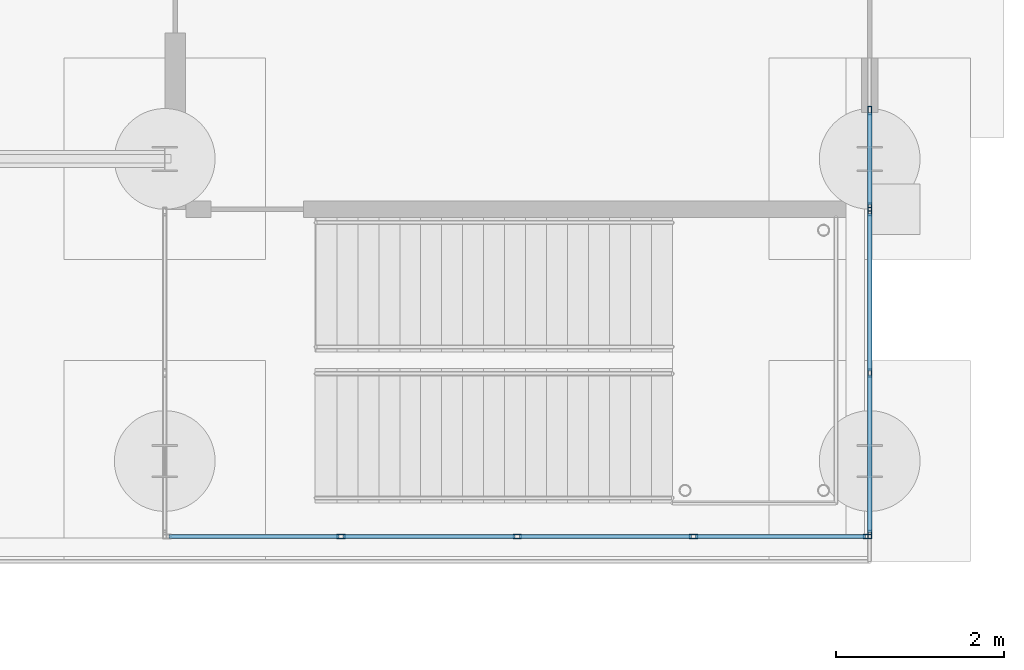
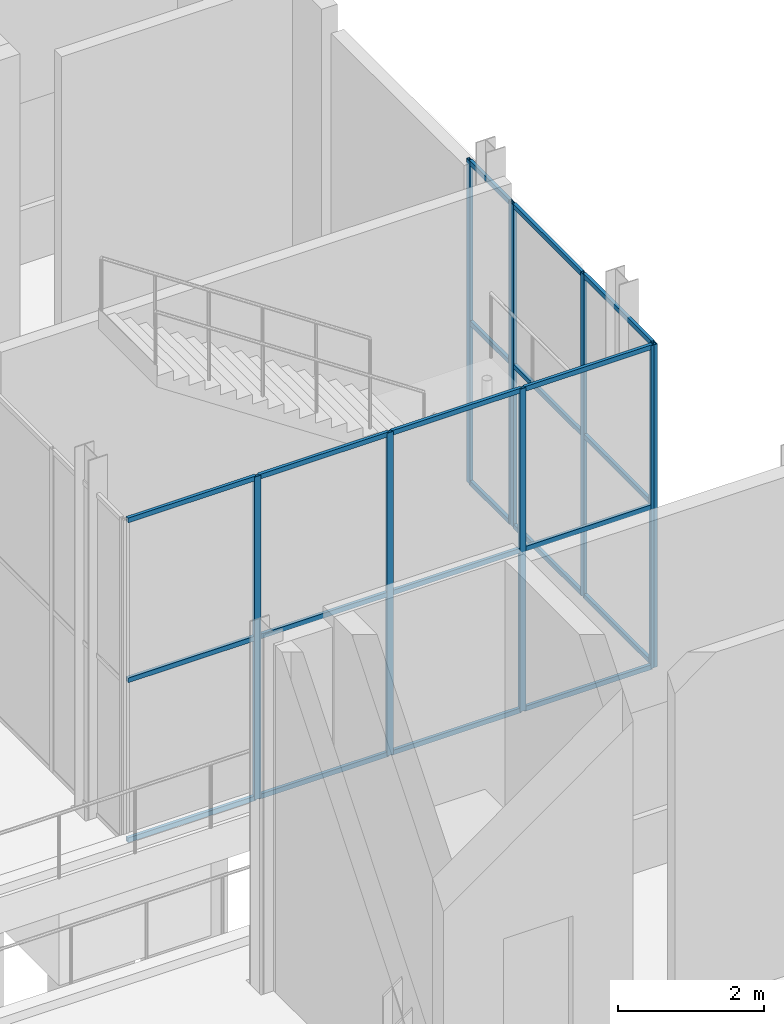
# One storey, part 128 of 212: 30 members, 3 elements without a shape of their own.
"""IFC4 building model written with IfcOpenShell, lengths in metres."""

from ifc_helpers import new_model, si_unit, direction, frame, origin, origin_2d, place, context, subcontext, project, spatial, hollow_rectangle, extrude, material, material_profile, profile_set, type_object, element, aggregate, save


model = new_model("IFC4")

# Units and contexts
model_context = context("Model", 3, precision=1e-05, world=origin(), true_north=direction((0.0, 1.0)))
body_context = subcontext(model_context, "Body", "Model", "MODEL_VIEW")
ifc_project = project(units=[si_unit("LENGTHUNIT", "METRE"), si_unit("AREAUNIT", "SQUARE_METRE"), si_unit("VOLUMEUNIT", "CUBIC_METRE"), si_unit("PLANEANGLEUNIT", "RADIAN"), si_unit("MASSUNIT", "GRAM", prefix="KILO")], contexts=[model_context])

# Site, building, storey
site_placement = place(None, origin())
site = spatial("IfcSite", under=ifc_project, at=site_placement, CompositionType="ELEMENT")
building_placement = place(site_placement, origin())
building = spatial("IfcBuilding", under=site, at=building_placement, Name="Catenary Quay Ferry Terminal", CompositionType="ELEMENT")
storey_placement = place(building_placement, origin())
storey = spatial("IfcBuildingStorey", under=building, at=storey_placement, Name="L00", CompositionType="ELEMENT", Elevation=0.0)

# Curtain wall, members
ifc_material_1 = material(Name="Aluminium and glass", Category="aluminium")
curtain_wall_type = type_object("IfcCurtainWallType", Name="CWK", PredefinedType="NOTDEFINED", material=ifc_material_1)
curtain_wall_1_placement = place(storey_placement, origin())
curtain_wall_1 = element("IfcCurtainWall", 1, at=curtain_wall_1_placement, inside=storey, type_object=curtain_wall_type, Name="Head berth 2 stair curtain wall CW84", PredefinedType="NOTDEFINED")
ifc_material_2 = material(Name="Aluminium", Category="aluminium")
ifc_material_profile_1 = material_profile(ifc_material_2, hollow_rectangle(XDim=0.050048828125, YDim=0.10009765625, WallThickness=0.0048828125, at=origin_2d()), Name="MU1")
ifc_profile_set_1 = profile_set([ifc_material_profile_1], Name="Aluminium")
member_type_1 = type_object("IfcMemberType", Name="MU1", PredefinedType="MULLION", material=ifc_profile_set_1)
member_1_placement = place(storey_placement, frame((128.10009765625, 85.5, 0.0), z_axis=(0.0, 0.0, 1.0), x_axis=(0.0, 1.0, 0.0)))
member_1 = element("IfcMember", 2, at=member_1_placement, type_object=member_type_1, Name="CW84 mullion 2", PredefinedType="MULLION", context=body_context, shape_type="SweptSolid", body=[
    extrude(hollow_rectangle(XDim=0.050048828125, YDim=0.10009765625, WallThickness=0.0048828125, at=origin_2d()), origin(), (0.0, 0.0, 1.0), 5.39990234375),
])
member_2_placement = place(storey_placement, frame((130.199951171875, 85.5, 0.0), z_axis=(0.0, 0.0, 1.0), x_axis=(0.0, 1.0, 0.0)))
member_2 = element("IfcMember", 3, at=member_2_placement, type_object=member_type_1, Name="CW84 mullion 3", PredefinedType="MULLION", context=body_context, shape_type="SweptSolid", body=[
    extrude(hollow_rectangle(XDim=0.050048828125, YDim=0.10009765625, WallThickness=0.0048828125, at=origin_2d()), origin(), (0.0, 0.0, 1.0), 5.39990234375),
])
member_3_placement = place(storey_placement, frame((132.300048828125, 85.5, 0.0), z_axis=(0.0, 0.0, 1.0), x_axis=(0.0, 1.0, 0.0)))
member_3 = element("IfcMember", 4, at=member_3_placement, type_object=member_type_1, Name="CW84 mullion 4", PredefinedType="MULLION", context=body_context, shape_type="SweptSolid", body=[
    extrude(hollow_rectangle(XDim=0.050048828125, YDim=0.10009765625, WallThickness=0.0048828125, at=origin_2d()), origin(), (0.0, 0.0, 1.0), 5.39990234375),
])
member_4_placement = place(storey_placement, frame((134.375, 85.5, 0.0), z_axis=(0.0, 0.0, 1.0), x_axis=(0.0, 1.0, 0.0)))
member_4 = element("IfcMember", 5, at=member_4_placement, type_object=member_type_1, Name="CW84 mullion 5", PredefinedType="MULLION", context=body_context, shape_type="SweptSolid", body=[
    extrude(hollow_rectangle(XDim=0.050048828125, YDim=0.10009765625, WallThickness=0.0048828125, at=origin_2d()), origin(), (0.0, 0.0, 1.0), 5.39990234375),
])

curtain_wall_2_placement = place(storey_placement, origin())
curtain_wall_2 = element("IfcCurtainWall", 6, at=curtain_wall_2_placement, inside=storey, type_object=curtain_wall_type, Name="Head berth 2 stair curtain wall CW85", PredefinedType="NOTDEFINED")
member_5_placement = place(storey_placement, frame((134.39990234375, 85.52490234375, 0.0), z_axis=(0.0, 0.0, 1.0), x_axis=(-1.0, 0.0, 0.0)))
member_5 = element("IfcMember", 7, at=member_5_placement, type_object=member_type_1, Name="CW85 mullion 1", PredefinedType="MULLION", context=body_context, shape_type="SweptSolid", body=[
    extrude(hollow_rectangle(XDim=0.050048828125, YDim=0.10009765625, WallThickness=0.0048828125, at=origin_2d()), origin(), (0.0, 0.0, 1.0), 5.39990234375),
])
member_6_placement = place(storey_placement, frame((134.39990234375, 87.449951171875, 0.0), z_axis=(0.0, 0.0, 1.0), x_axis=(-1.0, 0.0, 0.0)))
member_6 = element("IfcMember", 8, at=member_6_placement, type_object=member_type_1, Name="CW85 mullion 2", PredefinedType="MULLION", context=body_context, shape_type="SweptSolid", body=[
    extrude(hollow_rectangle(XDim=0.050048828125, YDim=0.10009765625, WallThickness=0.0048828125, at=origin_2d()), origin(), (0.0, 0.0, 1.0), 5.39990234375),
])
member_7_placement = place(storey_placement, frame((134.39990234375, 89.375, 0.0), z_axis=(0.0, 0.0, 1.0), x_axis=(-1.0, 0.0, 0.0)))
member_7 = element("IfcMember", 9, at=member_7_placement, type_object=member_type_1, Name="CW85 mullion 3", PredefinedType="MULLION", context=body_context, shape_type="SweptSolid", body=[
    extrude(hollow_rectangle(XDim=0.050048828125, YDim=0.10009765625, WallThickness=0.0048828125, at=origin_2d()), origin(), (0.0, 0.0, 1.0), 5.39990234375),
])

curtain_wall_3_placement = place(storey_placement, origin())
curtain_wall_3 = element("IfcCurtainWall", 10, at=curtain_wall_3_placement, inside=storey, type_object=curtain_wall_type, Name="Head berth 2 lobby curtain wall CW87", PredefinedType="NOTDEFINED")
member_8_placement = place(storey_placement, frame((134.39990234375, 89.425048828125, 0.0), z_axis=(0.0, 0.0, 1.0), x_axis=(-1.0, 0.0, 0.0)))
member_8 = element("IfcMember", 11, at=member_8_placement, type_object=member_type_1, Name="CW87 mullion 1", PredefinedType="MULLION", context=body_context, shape_type="SweptSolid", body=[
    extrude(hollow_rectangle(XDim=0.050048828125, YDim=0.10009765625, WallThickness=0.0048828125, at=origin_2d()), origin(), (0.0, 0.0, 1.0), 5.39990234375),
])
member_9_placement = place(storey_placement, frame((134.39990234375, 90.574951171875, 0.0), z_axis=(0.0, 0.0, 1.0), x_axis=(-1.0, 0.0, 0.0)))
member_9 = element("IfcMember", 12, at=member_9_placement, type_object=member_type_1, Name="CW87 mullion 2", PredefinedType="MULLION", context=body_context, shape_type="SweptSolid", body=[
    extrude(hollow_rectangle(XDim=0.050048828125, YDim=0.10009765625, WallThickness=0.0048828125, at=origin_2d()), origin(), (0.0, 0.0, 1.0), 5.39990234375),
])

# Member
ifc_material_3 = material(Name="Aluminium", Category="aluminium")
ifc_material_profile_2 = material_profile(ifc_material_3, hollow_rectangle(XDim=0.050048828125, YDim=0.080078125, WallThickness=0.00390625, at=origin_2d()), Name="TR1")
ifc_profile_set_2 = profile_set([ifc_material_profile_2], Name="Aluminium")
member_type_2 = type_object("IfcMemberType", Name="TR1", PredefinedType="USERDEFINED", material=ifc_profile_set_2)
member_10_placement = place(storey_placement, frame((126.050048828125, 85.5, 0.02490234375), z_axis=(1.0, 0.0, 0.0), x_axis=(0.0, 1.0, 0.0)))
member_10 = element("IfcMember", 13, at=member_10_placement, type_object=member_type_2, Name="CW84 transom 1.1", ObjectType="TRANSOM", PredefinedType="USERDEFINED", context=body_context, shape_type="SweptSolid", body=[
    extrude(hollow_rectangle(XDim=0.050048828125, YDim=0.080078125, WallThickness=0.00390625, at=origin_2d()), origin(), (0.0, 0.0, 1.0), 2.02490234375),
])

member_11_placement = place(storey_placement, frame((126.050048828125, 85.5, 2.699951171875), z_axis=(1.0, 0.0, 0.0), x_axis=(0.0, 1.0, 0.0)))
member_11 = element("IfcMember", 14, at=member_11_placement, type_object=member_type_2, Name="CW84 transom 1.2", ObjectType="TRANSOM", PredefinedType="USERDEFINED", context=body_context, shape_type="SweptSolid", body=[
    extrude(hollow_rectangle(XDim=0.050048828125, YDim=0.080078125, WallThickness=0.00390625, at=origin_2d()), origin(), (0.0, 0.0, 1.0), 2.02490234375),
])

member_12_placement = place(storey_placement, frame((126.050048828125, 85.5, 5.375), z_axis=(1.0, 0.0, 0.0), x_axis=(0.0, 1.0, 0.0)))
member_12 = element("IfcMember", 15, at=member_12_placement, type_object=member_type_2, Name="CW84 transom 1.3", ObjectType="TRANSOM", PredefinedType="USERDEFINED", context=body_context, shape_type="SweptSolid", body=[
    extrude(hollow_rectangle(XDim=0.050048828125, YDim=0.080078125, WallThickness=0.00390625, at=origin_2d()), origin(), (0.0, 0.0, 1.0), 2.02490234375),
])

member_13_placement = place(storey_placement, frame((128.125, 85.5, 0.02490234375), z_axis=(1.0, 0.0, 0.0), x_axis=(0.0, 1.0, 0.0)))
member_13 = element("IfcMember", 16, at=member_13_placement, type_object=member_type_2, Name="CW84 transom 2.1", ObjectType="TRANSOM", PredefinedType="USERDEFINED", context=body_context, shape_type="SweptSolid", body=[
    extrude(hollow_rectangle(XDim=0.050048828125, YDim=0.080078125, WallThickness=0.00390625, at=origin_2d()), origin(), (0.0, 0.0, 1.0), 2.050048828125),
])

member_14_placement = place(storey_placement, frame((128.125, 85.5, 2.699951171875), z_axis=(1.0, 0.0, 0.0), x_axis=(0.0, 1.0, 0.0)))
member_14 = element("IfcMember", 17, at=member_14_placement, type_object=member_type_2, Name="CW84 transom 2.2", ObjectType="TRANSOM", PredefinedType="USERDEFINED", context=body_context, shape_type="SweptSolid", body=[
    extrude(hollow_rectangle(XDim=0.050048828125, YDim=0.080078125, WallThickness=0.00390625, at=origin_2d()), origin(), (0.0, 0.0, 1.0), 2.050048828125),
])

member_15_placement = place(storey_placement, frame((128.125, 85.5, 5.375), z_axis=(1.0, 0.0, 0.0), x_axis=(0.0, 1.0, 0.0)))
member_15 = element("IfcMember", 18, at=member_15_placement, type_object=member_type_2, Name="CW84 transom 2.3", ObjectType="TRANSOM", PredefinedType="USERDEFINED", context=body_context, shape_type="SweptSolid", body=[
    extrude(hollow_rectangle(XDim=0.050048828125, YDim=0.080078125, WallThickness=0.00390625, at=origin_2d()), origin(), (0.0, 0.0, 1.0), 2.050048828125),
])

member_16_placement = place(storey_placement, frame((130.22509765625, 85.5, 0.02490234375), z_axis=(1.0, 0.0, 0.0), x_axis=(0.0, 1.0, 0.0)))
member_16 = element("IfcMember", 19, at=member_16_placement, type_object=member_type_2, Name="CW84 transom 3.1", ObjectType="TRANSOM", PredefinedType="USERDEFINED", context=body_context, shape_type="SweptSolid", body=[
    extrude(hollow_rectangle(XDim=0.050048828125, YDim=0.080078125, WallThickness=0.00390625, at=origin_2d()), origin(), (0.0, 0.0, 1.0), 2.0498046875),
])

member_17_placement = place(storey_placement, frame((130.22509765625, 85.5, 2.699951171875), z_axis=(1.0, 0.0, 0.0), x_axis=(0.0, 1.0, 0.0)))
member_17 = element("IfcMember", 20, at=member_17_placement, type_object=member_type_2, Name="CW84 transom 3.2", ObjectType="TRANSOM", PredefinedType="USERDEFINED", context=body_context, shape_type="SweptSolid", body=[
    extrude(hollow_rectangle(XDim=0.050048828125, YDim=0.080078125, WallThickness=0.00390625, at=origin_2d()), origin(), (0.0, 0.0, 1.0), 2.0498046875),
])

member_18_placement = place(storey_placement, frame((130.22509765625, 85.5, 5.375), z_axis=(1.0, 0.0, 0.0), x_axis=(0.0, 1.0, 0.0)))
member_18 = element("IfcMember", 21, at=member_18_placement, type_object=member_type_2, Name="CW84 transom 3.3", ObjectType="TRANSOM", PredefinedType="USERDEFINED", context=body_context, shape_type="SweptSolid", body=[
    extrude(hollow_rectangle(XDim=0.050048828125, YDim=0.080078125, WallThickness=0.00390625, at=origin_2d()), origin(), (0.0, 0.0, 1.0), 2.0498046875),
])

member_19_placement = place(storey_placement, frame((132.324951171875, 85.5, 0.02490234375), z_axis=(1.0, 0.0, 0.0), x_axis=(0.0, 1.0, 0.0)))
member_19 = element("IfcMember", 22, at=member_19_placement, type_object=member_type_2, Name="CW84 transom 4.1", ObjectType="TRANSOM", PredefinedType="USERDEFINED", context=body_context, shape_type="SweptSolid", body=[
    extrude(hollow_rectangle(XDim=0.050048828125, YDim=0.080078125, WallThickness=0.00390625, at=origin_2d()), origin(), (0.0, 0.0, 1.0), 2.025146484375),
])

member_20_placement = place(storey_placement, frame((132.324951171875, 85.5, 2.699951171875), z_axis=(1.0, 0.0, 0.0), x_axis=(0.0, 1.0, 0.0)))
member_20 = element("IfcMember", 23, at=member_20_placement, type_object=member_type_2, Name="CW84 transom 4.2", ObjectType="TRANSOM", PredefinedType="USERDEFINED", context=body_context, shape_type="SweptSolid", body=[
    extrude(hollow_rectangle(XDim=0.050048828125, YDim=0.080078125, WallThickness=0.00390625, at=origin_2d()), origin(), (0.0, 0.0, 1.0), 2.025146484375),
])

member_21_placement = place(storey_placement, frame((132.324951171875, 85.5, 5.375), z_axis=(1.0, 0.0, 0.0), x_axis=(0.0, 1.0, 0.0)))
member_21 = element("IfcMember", 24, at=member_21_placement, type_object=member_type_2, Name="CW84 transom 4.3", ObjectType="TRANSOM", PredefinedType="USERDEFINED", context=body_context, shape_type="SweptSolid", body=[
    extrude(hollow_rectangle(XDim=0.050048828125, YDim=0.080078125, WallThickness=0.00390625, at=origin_2d()), origin(), (0.0, 0.0, 1.0), 2.025146484375),
])

aggregate(curtain_wall_1, [member_1, member_2, member_3, member_4, member_10, member_11, member_12, member_13, member_14, member_15, member_16, member_17, member_18, member_19, member_20, member_21])

member_22_placement = place(storey_placement, frame((134.39990234375, 85.550048828125, 0.02490234375), z_axis=(0.0, 1.0, 0.0), x_axis=(-1.0, 0.0, 0.0)))
member_22 = element("IfcMember", 25, at=member_22_placement, type_object=member_type_2, Name="CW85 transom 1.1", ObjectType="TRANSOM", PredefinedType="USERDEFINED", context=body_context, shape_type="SweptSolid", body=[
    extrude(hollow_rectangle(XDim=0.050048828125, YDim=0.080078125, WallThickness=0.00390625, at=origin_2d()), origin(), (0.0, 0.0, 1.0), 1.875),
])

member_23_placement = place(storey_placement, frame((134.39990234375, 85.550048828125, 2.699951171875), z_axis=(0.0, 1.0, 0.0), x_axis=(-1.0, 0.0, 0.0)))
member_23 = element("IfcMember", 26, at=member_23_placement, type_object=member_type_2, Name="CW85 transom 1.2", ObjectType="TRANSOM", PredefinedType="USERDEFINED", context=body_context, shape_type="SweptSolid", body=[
    extrude(hollow_rectangle(XDim=0.050048828125, YDim=0.080078125, WallThickness=0.00390625, at=origin_2d()), origin(), (0.0, 0.0, 1.0), 1.875),
])

member_24_placement = place(storey_placement, frame((134.39990234375, 85.550048828125, 5.375), z_axis=(0.0, 1.0, 0.0), x_axis=(-1.0, 0.0, 0.0)))
member_24 = element("IfcMember", 27, at=member_24_placement, type_object=member_type_2, Name="CW85 transom 1.3", ObjectType="TRANSOM", PredefinedType="USERDEFINED", context=body_context, shape_type="SweptSolid", body=[
    extrude(hollow_rectangle(XDim=0.050048828125, YDim=0.080078125, WallThickness=0.00390625, at=origin_2d()), origin(), (0.0, 0.0, 1.0), 1.875),
])

member_25_placement = place(storey_placement, frame((134.39990234375, 87.47509765625, 0.02490234375), z_axis=(0.0, 1.0, 0.0), x_axis=(-1.0, 0.0, 0.0)))
member_25 = element("IfcMember", 28, at=member_25_placement, type_object=member_type_2, Name="CW85 transom 2.1", ObjectType="TRANSOM", PredefinedType="USERDEFINED", context=body_context, shape_type="SweptSolid", body=[
    extrude(hollow_rectangle(XDim=0.050048828125, YDim=0.080078125, WallThickness=0.00390625, at=origin_2d()), origin(), (0.0, 0.0, 1.0), 1.875),
])

member_26_placement = place(storey_placement, frame((134.39990234375, 87.47509765625, 2.699951171875), z_axis=(0.0, 1.0, 0.0), x_axis=(-1.0, 0.0, 0.0)))
member_26 = element("IfcMember", 29, at=member_26_placement, type_object=member_type_2, Name="CW85 transom 2.2", ObjectType="TRANSOM", PredefinedType="USERDEFINED", context=body_context, shape_type="SweptSolid", body=[
    extrude(hollow_rectangle(XDim=0.050048828125, YDim=0.080078125, WallThickness=0.00390625, at=origin_2d()), origin(), (0.0, 0.0, 1.0), 1.875),
])

member_27_placement = place(storey_placement, frame((134.39990234375, 87.47509765625, 5.375), z_axis=(0.0, 1.0, 0.0), x_axis=(-1.0, 0.0, 0.0)))
member_27 = element("IfcMember", 30, at=member_27_placement, type_object=member_type_2, Name="CW85 transom 2.3", ObjectType="TRANSOM", PredefinedType="USERDEFINED", context=body_context, shape_type="SweptSolid", body=[
    extrude(hollow_rectangle(XDim=0.050048828125, YDim=0.080078125, WallThickness=0.00390625, at=origin_2d()), origin(), (0.0, 0.0, 1.0), 1.875),
])

aggregate(curtain_wall_2, [member_5, member_6, member_7, member_22, member_23, member_24, member_25, member_26, member_27])

member_28_placement = place(storey_placement, frame((134.39990234375, 89.449951171875, 0.02490234375), z_axis=(0.0, 1.0, 0.0), x_axis=(-1.0, 0.0, 0.0)))
member_28 = element("IfcMember", 31, at=member_28_placement, type_object=member_type_2, Name="CW87 transom 1.1", ObjectType="TRANSOM", PredefinedType="USERDEFINED", context=body_context, shape_type="SweptSolid", body=[
    extrude(hollow_rectangle(XDim=0.050048828125, YDim=0.080078125, WallThickness=0.00390625, at=origin_2d()), origin(), (0.0, 0.0, 1.0), 1.10009765625),
])

member_29_placement = place(storey_placement, frame((134.39990234375, 89.449951171875, 2.699951171875), z_axis=(0.0, 1.0, 0.0), x_axis=(-1.0, 0.0, 0.0)))
member_29 = element("IfcMember", 32, at=member_29_placement, type_object=member_type_2, Name="CW87 transom 1.2", ObjectType="TRANSOM", PredefinedType="USERDEFINED", context=body_context, shape_type="SweptSolid", body=[
    extrude(hollow_rectangle(XDim=0.050048828125, YDim=0.080078125, WallThickness=0.00390625, at=origin_2d()), origin(), (0.0, 0.0, 1.0), 1.10009765625),
])

member_30_placement = place(storey_placement, frame((134.39990234375, 89.449951171875, 5.375), z_axis=(0.0, 1.0, 0.0), x_axis=(-1.0, 0.0, 0.0)))
member_30 = element("IfcMember", 33, at=member_30_placement, type_object=member_type_2, Name="CW87 transom 1.3", ObjectType="TRANSOM", PredefinedType="USERDEFINED", context=body_context, shape_type="SweptSolid", body=[
    extrude(hollow_rectangle(XDim=0.050048828125, YDim=0.080078125, WallThickness=0.00390625, at=origin_2d()), origin(), (0.0, 0.0, 1.0), 1.10009765625),
])

aggregate(curtain_wall_3, [member_8, member_9, member_28, member_29, member_30])

save(model, "model.ifc")
